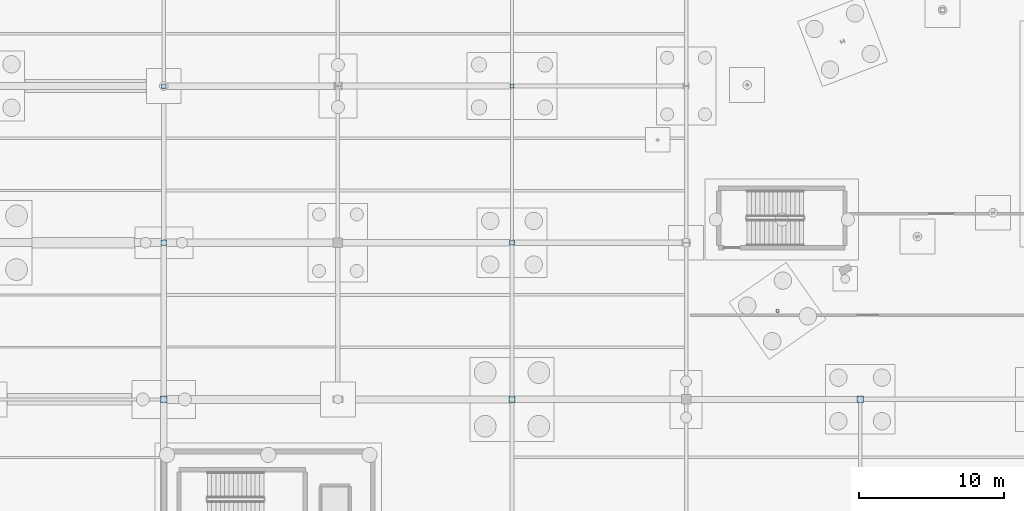
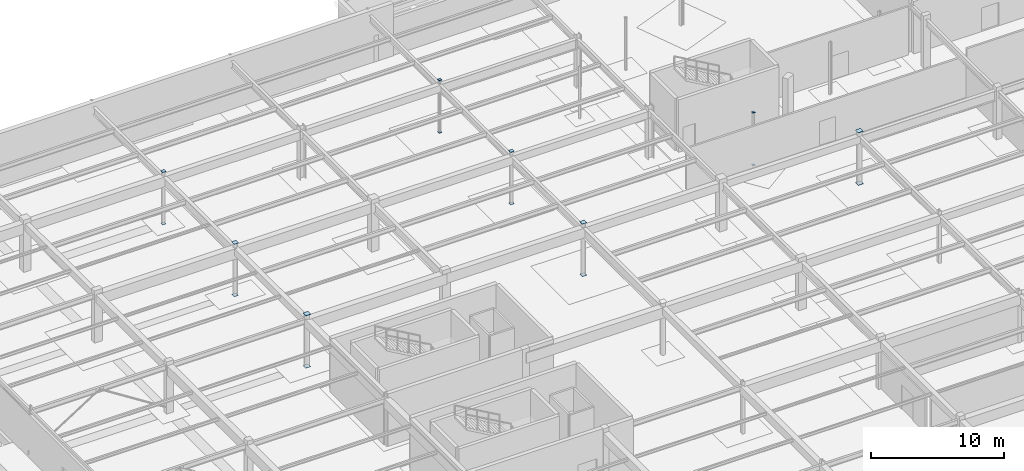
# One storey, part 100 of 136: 16 plates.
"""IFC4 building model written with IfcOpenShell, lengths in metres."""

import ifcopenshell
import ifcopenshell.guid

model = None  # the IFC model being written
_history = None  # IfcOwnerHistory: only IFC2X3 demands one
_inside = {}  # id of a spatial element -> (the spatial element, [elements in it])
_under = {}  # id of a project, library or spatial element -> (it, [spatial elements below it])
_declared = {}  # id of a project -> (the project, [libraries it declares])
_typed = {}  # id of a type object -> (the type object, [elements of that type])
_made_of = {}  # id of a material, layer set ... -> (it, [elements and type objects made of it])


def new_model(schema):
    """Start an empty IFC model of exactly this schema.

    Asked for "IFC4X3", IfcOpenShell would pick the latest addendum, in which some entities
    have other attributes; the version numbers below select the first issue.
    IFC2X3 requires an IfcOwnerHistory on every rooted entity: one is made here for all.
    """
    global model, _history
    if schema == "IFC4X3":
        model = ifcopenshell.file(schema_version=(4, 3, 0, 0))
    else:
        model = ifcopenshell.file(schema=schema)
    _inside.clear()
    _under.clear()
    _declared.clear()
    _typed.clear()
    _made_of.clear()
    _history = None
    if model.schema == "IFC2X3":
        org = make("IfcOrganization", Name="unknown")
        user = make(
            "IfcPersonAndOrganization",
            ThePerson=make("IfcPerson", FamilyName="unknown"),
            TheOrganization=org,
        )
        app = make(
            "IfcApplication",
            ApplicationDeveloper=org,
            Version="unknown",
            ApplicationFullName="unknown",
            ApplicationIdentifier="unknown",
        )
        _history = make(
            "IfcOwnerHistory",
            OwningUser=user,
            OwningApplication=app,
            ChangeAction="ADDED",
            CreationDate=0,
        )
    return model


def make(cls, **values):
    """One entity of the class cls with the attributes given. An attribute that is None is left unset."""
    return model.create_entity(
        cls, **{name: value for name, value in values.items() if value is not None}
    )


def rooted(cls, **values):
    """An entity with a GlobalId (a new one), such as an element, a storey or a relation."""
    return make(cls, GlobalId=ifcopenshell.guid.new(), OwnerHistory=_history, **values)


def si_unit(unit_type, name, prefix=None):
    """IfcSIUnit, for example si_unit("LENGTHUNIT", "METRE", prefix="MILLI")."""
    return make("IfcSIUnit", UnitType=unit_type, Prefix=prefix, Name=name)


def assignment(units):
    """IfcUnitAssignment: the units of a project."""
    return None if units is None else make("IfcUnitAssignment", Units=units)


def point(xyz):
    """IfcCartesianPoint."""
    return None if xyz is None else make("IfcCartesianPoint", Coordinates=xyz)


def direction(xyz):
    """IfcDirection."""
    return None if xyz is None else make("IfcDirection", DirectionRatios=xyz)


def frame(location, z_axis=None, x_axis=None):
    """IfcAxis2Placement3D, a coordinate frame: its origin and axes. An axis left out is left unset."""
    return make(
        "IfcAxis2Placement3D",
        Location=point(location),
        Axis=direction(z_axis),
        RefDirection=direction(x_axis),
    )


def frame_2d(location, x_axis=None):
    """IfcAxis2Placement2D, a coordinate frame in the plane: its origin and x axis."""
    return make(
        "IfcAxis2Placement2D", Location=point(location), RefDirection=direction(x_axis)
    )


def origin():
    """The frame at (0, 0, 0) with its axes left unset."""
    return frame((0.0, 0.0, 0.0))


def origin_2d():
    """The frame at (0, 0) in the plane with its x axis left unset."""
    return frame_2d((0.0, 0.0))


def place(relative_to, where):
    """IfcLocalPlacement: puts the frame where relative to a parent placement (None: the world)."""
    return make(
        "IfcLocalPlacement", PlacementRelTo=relative_to, RelativePlacement=where
    )


def context(
    kind, dimensions, precision=None, world=None, true_north=None, identifier=None
):
    """IfcGeometricRepresentationContext, for example the 3D "Model" context."""
    return make(
        "IfcGeometricRepresentationContext",
        ContextIdentifier=identifier,
        ContextType=kind,
        CoordinateSpaceDimension=dimensions,
        Precision=precision,
        WorldCoordinateSystem=world,
        TrueNorth=true_north,
    )


def subcontext(parent, identifier, kind, view, scale=None):
    """IfcGeometricRepresentationSubContext, for example "Body" below "Model"."""
    return make(
        "IfcGeometricRepresentationSubContext",
        ContextIdentifier=identifier,
        ContextType=kind,
        ParentContext=parent,
        TargetScale=scale,
        TargetView=view,
    )


def project(units=None, contexts=None):
    """IfcProject with its units and contexts."""
    return rooted(
        "IfcProject",
        Name="project",
        RepresentationContexts=contexts,
        UnitsInContext=assignment(units),
    )


def spatial(cls, under=None, at=None, **own):
    """A site, building, storey or space (cls), placed at a placement, below another one or the project."""
    s = rooted(cls, ObjectPlacement=at, **own)
    if under is not None:
        _under.setdefault(under.id(), (under, []))[1].append(s)
    return s


def profile(cls, at=None, kind="AREA", **sizes):
    """A parametric profile (cls). Its sizes go by their IFC names, for example OverallWidth=200.0."""
    return make(cls, ProfileType=kind, Position=at, **sizes)


def rectangle(**sizes):
    """IfcRectangleProfileDef."""
    return profile("IfcRectangleProfileDef", **sizes)


def extrude(swept, where, along, depth):
    """IfcExtrudedAreaSolid: the profile swept, set in the frame where, extruded along a direction by depth."""
    return make(
        "IfcExtrudedAreaSolid",
        SweptArea=swept,
        Position=where,
        ExtrudedDirection=direction(along),
        Depth=depth,
    )


def shape(context_of_items, identifier, shape_type, items):
    """IfcShapeRepresentation: the items that make up one representation, for example the "Body"."""
    return make(
        "IfcShapeRepresentation",
        ContextOfItems=context_of_items,
        RepresentationIdentifier=identifier,
        RepresentationType=shape_type,
        Items=items,
    )


def material(Name=None, Category=None):
    """IfcMaterial."""
    return make("IfcMaterial", Name=Name, Category=Category)


def layer(
    of_material, thickness, ventilated=None, Name=None, Category=None, Priority=None
):
    """IfcMaterialLayer: one layer of a wall or slab, of a material (None: an air gap)."""
    return make(
        "IfcMaterialLayer",
        Material=of_material,
        LayerThickness=thickness,
        IsVentilated=ventilated,
        Name=Name,
        Category=Category,
        Priority=Priority,
    )


def layer_set(layers, Name=None):
    """IfcMaterialLayerSet."""
    return make("IfcMaterialLayerSet", MaterialLayers=layers, LayerSetName=Name)


def made_of(thing, what):
    """Note that an element or type object is made of a material, layer set ...; save() writes the relation."""
    if what is not None:
        _made_of.setdefault(what.id(), (what, []))[1].append(thing)
    return thing


def type_object(cls, material=None, **own):
    """A type object (cls), such as IfcWallType, which elements share."""
    return made_of(rooted(cls, **own), material)


def element(
    cls,
    number,
    at=None,
    inside=None,
    cuts=None,
    type_object=None,
    material=None,
    context=None,
    identifier="Body",
    shape_type=None,
    held_by="IfcProductDefinitionShape",
    body=None,
    shapes=None,
    **own,
):
    """One element of the class cls, such as IfcWall. Its Tag is "e" and its number.

    at: its placement. inside: the storey or other place that contains it. cuts: it is an
    opening in that element (IfcRelVoidsElement). A single representation is given by context,
    identifier, shape_type and body (its items); several are given by shapes. held_by: the class
    of the entity that holds the representations. save() writes the other relations.
    """
    e = rooted(cls, Tag="e%d" % number, ObjectPlacement=at, **own)
    if body is not None:
        shapes = [shape(context, identifier, shape_type, body)]
    if shapes is not None:
        e.Representation = make(held_by, Representations=shapes)
    if inside is not None:
        _inside.setdefault(inside.id(), (inside, []))[1].append(e)
    if cuts is not None:
        rooted(
            "IfcRelVoidsElement", RelatingBuildingElement=cuts, RelatedOpeningElement=e
        )
    if type_object is not None:
        _typed.setdefault(type_object.id(), (type_object, []))[1].append(e)
    return made_of(e, material)


def aggregate(whole, parts):
    """IfcRelAggregates: a whole, such as a stair, and the parts it consists of."""
    return rooted("IfcRelAggregates", RelatingObject=whole, RelatedObjects=parts)


def save(model, path):
    """Write the relations noted so far, then the file.

    IfcRelAggregates (storeys below a building ...), IfcRelContainedInSpatialStructure (elements
    in a storey), IfcRelDefinesByType, IfcRelAssociatesMaterial and IfcRelDeclares: one each for
    every whole, place, type object, material and project.
    """
    for whole, parts in _under.values():
        aggregate(whole, parts)
    for where, things in _inside.values():
        rooted(
            "IfcRelContainedInSpatialStructure",
            RelatedElements=things,
            RelatingStructure=where,
        )
    for kind, things in _typed.values():
        rooted("IfcRelDefinesByType", RelatedObjects=things, RelatingType=kind)
    for what, things in _made_of.values():
        rooted("IfcRelAssociatesMaterial", RelatedObjects=things, RelatingMaterial=what)
    for by, libraries in _declared.values():
        rooted("IfcRelDeclares", RelatingContext=by, RelatedDefinitions=libraries)
    model.write(path)


model = new_model("IFC4")

# Units and contexts
model_context = context("Model", 3, precision=1e-05, world=origin(), true_north=direction((0.0, 1.0)))
body_context = subcontext(model_context, "Body", "Model", "MODEL_VIEW")
ifc_project = project(units=[si_unit("LENGTHUNIT", "METRE"), si_unit("AREAUNIT", "SQUARE_METRE"), si_unit("VOLUMEUNIT", "CUBIC_METRE"), si_unit("PLANEANGLEUNIT", "RADIAN"), si_unit("MASSUNIT", "GRAM", prefix="KILO")], contexts=[model_context])

# Site, building, storey
site_placement = place(None, origin())
site = spatial("IfcSite", under=ifc_project, at=site_placement, CompositionType="ELEMENT")
building_placement = place(site_placement, origin())
building = spatial("IfcBuilding", under=site, at=building_placement, Name="Tarnwether General Hospital", CompositionType="ELEMENT")
storey_placement = place(building_placement, frame((0.0, 0.0, -4.800048828125)))
storey = spatial("IfcBuildingStorey", under=building, at=storey_placement, Name="LG", CompositionType="ELEMENT", Elevation=-4.800048828125)

# Plates
ifc_material = material(Name="Steel Grade 350 (350 MPa)", Category="steel")
ifc_layer = layer(ifc_material, 0.02490234375)
ifc_layer_set = layer_set([ifc_layer], Name="Steel Grade 350 (350 MPa)")
plate_type = type_object("IfcPlateType", Name="PT-GUS2", PredefinedType="USERDEFINED", material=ifc_layer_set)
for number, where, z_axis, x_axis, name in (
    (1, (24.0, 93.60009765625, -0.02490234375), (0.0, 0.0, 1.0), (1.0, 0.0, 0.0), "Hollow Section Welded End Cap Plate 0051"),
    (2, (24.0, 93.60009765625, 4.800048828125), (0.0, 0.0, 1.0), (1.0, 0.0, 0.0), "Hollow Section Welded End Cap Plate 0052"),
):
    element("IfcPlate", number, at=place(storey_placement, frame(where, z_axis=z_axis, x_axis=x_axis)), inside=storey, type_object=plate_type, Name=name, ObjectType="GUSSET", PredefinedType="USERDEFINED", context=body_context, shape_type="SweptSolid", body=[
        extrude(rectangle(XDim=0.446044921875, YDim=0.446044921875, at=origin_2d()), origin(), (0.0, 0.0, 1.0), 0.02490234375),
    ])
for number, where, z_axis, x_axis, name in (
    (3, (24.0, 104.39990234375, -0.02490234375), (0.0, 0.0, 1.0), (1.0, 0.0, 0.0), "Hollow Section Welded End Cap Plate 0057"),
    (4, (24.0, 104.39990234375, 4.800048828125), (0.0, 0.0, 1.0), (1.0, 0.0, 0.0), "Hollow Section Welded End Cap Plate 0058"),
):
    element("IfcPlate", number, at=place(storey_placement, frame(where, z_axis=z_axis, x_axis=x_axis)), inside=storey, type_object=plate_type, Name=name, ObjectType="GUSSET", PredefinedType="USERDEFINED", context=body_context, shape_type="SweptSolid", body=[
        extrude(rectangle(XDim=0.39599609375, YDim=0.39599609375, at=origin_2d()), origin(), (0.0, 0.0, 1.0), 0.02490234375),
    ])
for number, where, z_axis, x_axis, name in (
    (5, (24.0, 115.199951171875, -0.02490234375), (0.0, 0.0, 1.0), (1.0, 0.0, 0.0), "Hollow Section Welded End Cap Plate 0065"),
    (6, (24.0, 115.199951171875, 4.800048828125), (0.0, 0.0, 1.0), (1.0, 0.0, 0.0), "Hollow Section Welded End Cap Plate 0066"),
):
    element("IfcPlate", number, at=place(storey_placement, frame(where, z_axis=z_axis, x_axis=x_axis)), inside=storey, type_object=plate_type, Name=name, ObjectType="GUSSET", PredefinedType="USERDEFINED", context=body_context, shape_type="SweptSolid", body=[
        extrude(rectangle(XDim=0.31298828125, YDim=0.31298828125, at=origin_2d()), origin(), (0.0, 0.0, 1.0), 0.02490234375),
    ])
for number, where, z_axis, x_axis, name in (
    (7, (48.0, 93.60009765625, -0.02490234375), (0.0, 0.0, 1.0), (1.0, 0.0, 0.0), "Hollow Section Welded End Cap Plate 0097"),
    (8, (48.0, 93.60009765625, 4.800048828125), (0.0, 0.0, 1.0), (1.0, 0.0, 0.0), "Hollow Section Welded End Cap Plate 0098"),
):
    element("IfcPlate", number, at=place(storey_placement, frame(where, z_axis=z_axis, x_axis=x_axis)), inside=storey, type_object=plate_type, Name=name, ObjectType="GUSSET", PredefinedType="USERDEFINED", context=body_context, shape_type="SweptSolid", body=[
        extrude(rectangle(XDim=0.39599609375, YDim=0.39599609375, at=origin_2d()), origin(), (0.0, 0.0, 1.0), 0.02490234375),
    ])
for number, where, z_axis, x_axis, name in (
    (9, (48.0, 104.39990234375, -0.02490234375), (0.0, 0.0, 1.0), (1.0, 0.0, 0.0), "Hollow Section Welded End Cap Plate 0105"),
    (10, (48.0, 104.39990234375, 4.800048828125), (0.0, 0.0, 1.0), (1.0, 0.0, 0.0), "Hollow Section Welded End Cap Plate 0106"),
):
    element("IfcPlate", number, at=place(storey_placement, frame(where, z_axis=z_axis, x_axis=x_axis)), inside=storey, type_object=plate_type, Name=name, ObjectType="GUSSET", PredefinedType="USERDEFINED", context=body_context, shape_type="SweptSolid", body=[
        extrude(rectangle(XDim=0.31298828125, YDim=0.31298828125, at=origin_2d()), origin(), (0.0, 0.0, 1.0), 0.02490234375),
    ])
for number, where, z_axis, x_axis, name in (
    (11, (48.0, 115.199951171875, -0.02490234375), (0.0, 0.0, 1.0), (1.0, 0.0, 0.0), "Hollow Section Welded End Cap Plate 0113"),
    (12, (48.0, 115.199951171875, 4.800048828125), (0.0, 0.0, 1.0), (1.0, 0.0, 0.0), "Hollow Section Welded End Cap Plate 0114"),
):
    element("IfcPlate", number, at=place(storey_placement, frame(where, z_axis=z_axis, x_axis=x_axis)), inside=storey, type_object=plate_type, Name=name, ObjectType="GUSSET", PredefinedType="USERDEFINED", context=body_context, shape_type="SweptSolid", body=[
        extrude(rectangle(XDim=0.259033203125, YDim=0.259033203125, at=origin_2d()), origin(), (0.0, 0.0, 1.0), 0.02490234375),
    ])
for number, where, z_axis, x_axis, name in (
    (13, (72.0, 93.60009765625, -0.02490234375), (0.0, 0.0, 1.0), (1.0, 0.0, 0.0), "Hollow Section Welded End Cap Plate 0133"),
    (14, (72.0, 93.60009765625, 4.800048828125), (0.0, 0.0, 1.0), (1.0, 0.0, 0.0), "Hollow Section Welded End Cap Plate 0134"),
):
    element("IfcPlate", number, at=place(storey_placement, frame(where, z_axis=z_axis, x_axis=x_axis)), inside=storey, type_object=plate_type, Name=name, ObjectType="GUSSET", PredefinedType="USERDEFINED", context=body_context, shape_type="SweptSolid", body=[
        extrude(rectangle(XDim=0.446044921875, YDim=0.446044921875, at=origin_2d()), origin(), (0.0, 0.0, 1.0), 0.02490234375),
    ])
for number, where, z_axis, x_axis, name in (
    (15, (66.303955078125, 99.697998046875, -0.02490234375), (0.0, 0.0, 1.0), (1.0, 0.0, 0.0), "Hollow Section Welded End Cap Plate 0459"),
    (16, (66.303955078125, 99.697998046875, 4.800048828125), (0.0, 0.0, 1.0), (1.0, 0.0, 0.0), "Hollow Section Welded End Cap Plate 0460"),
):
    element("IfcPlate", number, at=place(storey_placement, frame(where, z_axis=z_axis, x_axis=x_axis)), inside=storey, type_object=plate_type, Name=name, ObjectType="GUSSET", PredefinedType="USERDEFINED", context=body_context, shape_type="SweptSolid", body=[
        extrude(rectangle(XDim=0.18994140625, YDim=0.18994140625, at=origin_2d()), origin(), (0.0, 0.0, 1.0), 0.02490234375),
    ])

save(model, "model.ifc")
